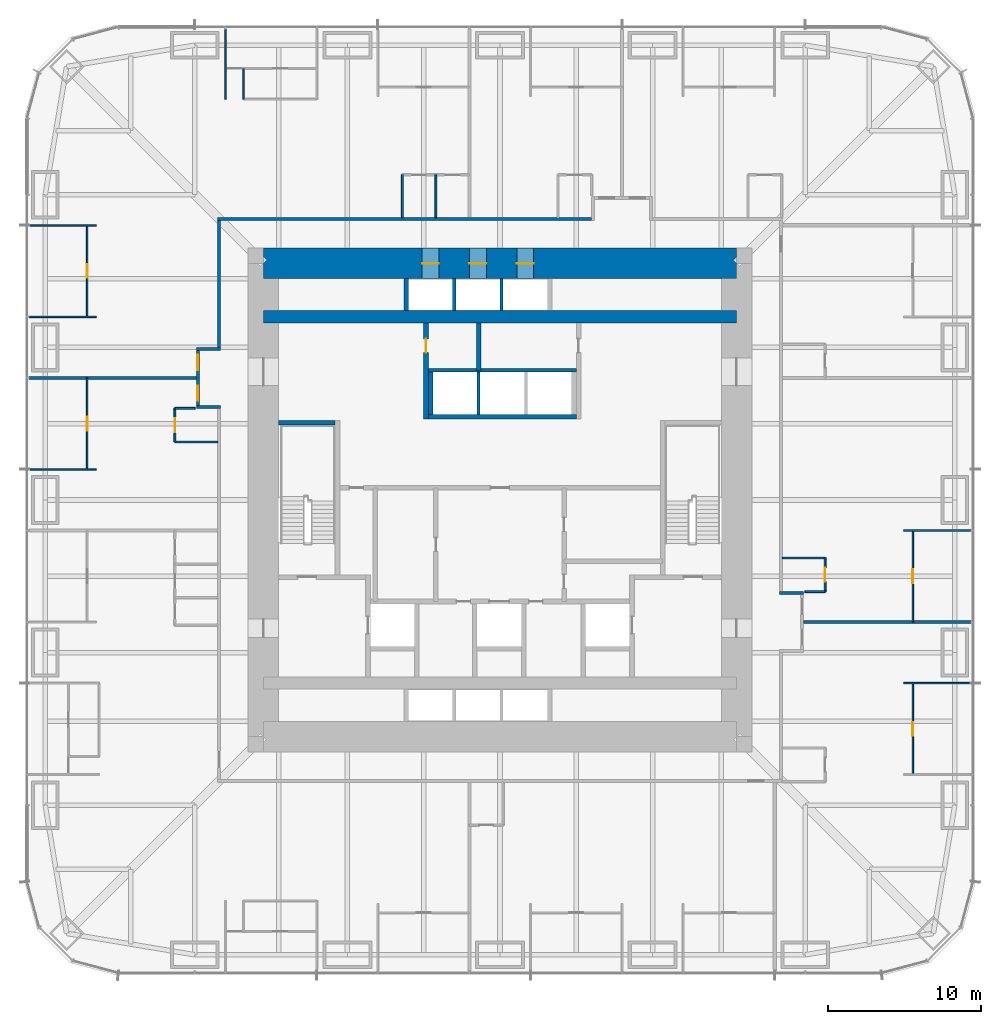
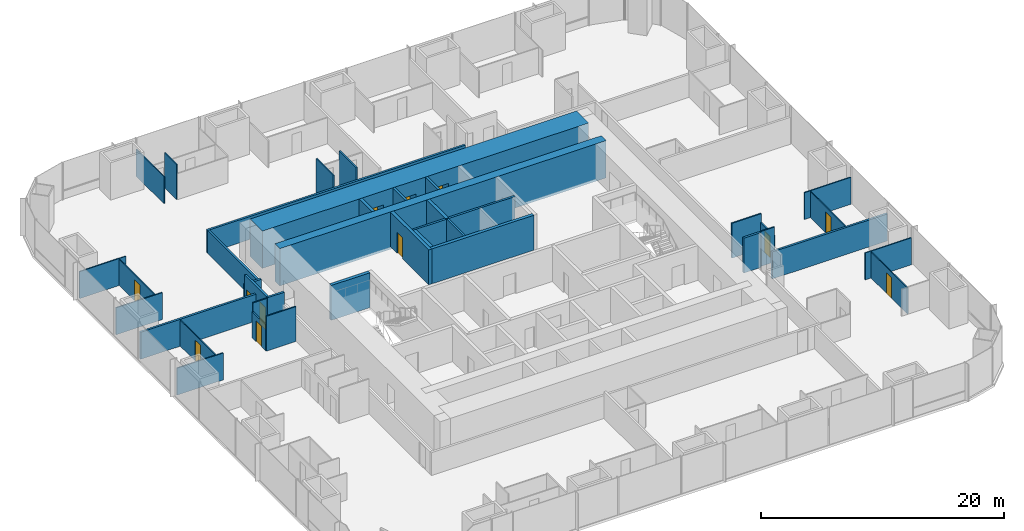
# One storey, part 14 of 17: 39 walls, 12 doors, 12 openings.
"""IFC4 building model written with IfcOpenShell, lengths in metres."""

import ifcopenshell
import ifcopenshell.guid

model = None  # the IFC model being written
_history = None  # IfcOwnerHistory: only IFC2X3 demands one
_inside = {}  # id of a spatial element -> (the spatial element, [elements in it])
_under = {}  # id of a project, library or spatial element -> (it, [spatial elements below it])
_declared = {}  # id of a project -> (the project, [libraries it declares])
_typed = {}  # id of a type object -> (the type object, [elements of that type])
_made_of = {}  # id of a material, layer set ... -> (it, [elements and type objects made of it])


def new_model(schema):
    """Start an empty IFC model of exactly this schema.

    Asked for "IFC4X3", IfcOpenShell would pick the latest addendum, in which some entities
    have other attributes; the version numbers below select the first issue.
    IFC2X3 requires an IfcOwnerHistory on every rooted entity: one is made here for all.
    """
    global model, _history
    if schema == "IFC4X3":
        model = ifcopenshell.file(schema_version=(4, 3, 0, 0))
    else:
        model = ifcopenshell.file(schema=schema)
    _inside.clear()
    _under.clear()
    _declared.clear()
    _typed.clear()
    _made_of.clear()
    _history = None
    if model.schema == "IFC2X3":
        org = make("IfcOrganization", Name="unknown")
        user = make(
            "IfcPersonAndOrganization",
            ThePerson=make("IfcPerson", FamilyName="unknown"),
            TheOrganization=org,
        )
        app = make(
            "IfcApplication",
            ApplicationDeveloper=org,
            Version="unknown",
            ApplicationFullName="unknown",
            ApplicationIdentifier="unknown",
        )
        _history = make(
            "IfcOwnerHistory",
            OwningUser=user,
            OwningApplication=app,
            ChangeAction="ADDED",
            CreationDate=0,
        )
    return model


def make(cls, **values):
    """One entity of the class cls with the attributes given. An attribute that is None is left unset."""
    return model.create_entity(
        cls, **{name: value for name, value in values.items() if value is not None}
    )


def rooted(cls, **values):
    """An entity with a GlobalId (a new one), such as an element, a storey or a relation."""
    return make(cls, GlobalId=ifcopenshell.guid.new(), OwnerHistory=_history, **values)


def si_unit(unit_type, name, prefix=None):
    """IfcSIUnit, for example si_unit("LENGTHUNIT", "METRE", prefix="MILLI")."""
    return make("IfcSIUnit", UnitType=unit_type, Prefix=prefix, Name=name)


def assignment(units):
    """IfcUnitAssignment: the units of a project."""
    return None if units is None else make("IfcUnitAssignment", Units=units)


def point(xyz):
    """IfcCartesianPoint."""
    return None if xyz is None else make("IfcCartesianPoint", Coordinates=xyz)


def direction(xyz):
    """IfcDirection."""
    return None if xyz is None else make("IfcDirection", DirectionRatios=xyz)


def frame(location, z_axis=None, x_axis=None):
    """IfcAxis2Placement3D, a coordinate frame: its origin and axes. An axis left out is left unset."""
    return make(
        "IfcAxis2Placement3D",
        Location=point(location),
        Axis=direction(z_axis),
        RefDirection=direction(x_axis),
    )


def frame_2d(location, x_axis=None):
    """IfcAxis2Placement2D, a coordinate frame in the plane: its origin and x axis."""
    return make(
        "IfcAxis2Placement2D", Location=point(location), RefDirection=direction(x_axis)
    )


def origin():
    """The frame at (0, 0, 0) with its axes left unset."""
    return frame((0.0, 0.0, 0.0))


def place(relative_to, where):
    """IfcLocalPlacement: puts the frame where relative to a parent placement (None: the world)."""
    return make(
        "IfcLocalPlacement", PlacementRelTo=relative_to, RelativePlacement=where
    )


def context(
    kind, dimensions, precision=None, world=None, true_north=None, identifier=None
):
    """IfcGeometricRepresentationContext, for example the 3D "Model" context."""
    return make(
        "IfcGeometricRepresentationContext",
        ContextIdentifier=identifier,
        ContextType=kind,
        CoordinateSpaceDimension=dimensions,
        Precision=precision,
        WorldCoordinateSystem=world,
        TrueNorth=true_north,
    )


def subcontext(parent, identifier, kind, view, scale=None):
    """IfcGeometricRepresentationSubContext, for example "Body" below "Model"."""
    return make(
        "IfcGeometricRepresentationSubContext",
        ContextIdentifier=identifier,
        ContextType=kind,
        ParentContext=parent,
        TargetScale=scale,
        TargetView=view,
    )


def project(units=None, contexts=None):
    """IfcProject with its units and contexts."""
    return rooted(
        "IfcProject",
        Name="project",
        RepresentationContexts=contexts,
        UnitsInContext=assignment(units),
    )


def spatial(cls, under=None, at=None, **own):
    """A site, building, storey or space (cls), placed at a placement, below another one or the project."""
    s = rooted(cls, ObjectPlacement=at, **own)
    if under is not None:
        _under.setdefault(under.id(), (under, []))[1].append(s)
    return s


def profile(cls, at=None, kind="AREA", **sizes):
    """A parametric profile (cls). Its sizes go by their IFC names, for example OverallWidth=200.0."""
    return make(cls, ProfileType=kind, Position=at, **sizes)


def rectangle(**sizes):
    """IfcRectangleProfileDef."""
    return profile("IfcRectangleProfileDef", **sizes)


def extrude(swept, where, along, depth):
    """IfcExtrudedAreaSolid: the profile swept, set in the frame where, extruded along a direction by depth."""
    return make(
        "IfcExtrudedAreaSolid",
        SweptArea=swept,
        Position=where,
        ExtrudedDirection=direction(along),
        Depth=depth,
    )


def shape(context_of_items, identifier, shape_type, items):
    """IfcShapeRepresentation: the items that make up one representation, for example the "Body"."""
    return make(
        "IfcShapeRepresentation",
        ContextOfItems=context_of_items,
        RepresentationIdentifier=identifier,
        RepresentationType=shape_type,
        Items=items,
    )


def material(Name=None, Category=None):
    """IfcMaterial."""
    return make("IfcMaterial", Name=Name, Category=Category)


def layer(
    of_material, thickness, ventilated=None, Name=None, Category=None, Priority=None
):
    """IfcMaterialLayer: one layer of a wall or slab, of a material (None: an air gap)."""
    return make(
        "IfcMaterialLayer",
        Material=of_material,
        LayerThickness=thickness,
        IsVentilated=ventilated,
        Name=Name,
        Category=Category,
        Priority=Priority,
    )


def layer_set(layers, Name=None):
    """IfcMaterialLayerSet."""
    return make("IfcMaterialLayerSet", MaterialLayers=layers, LayerSetName=Name)


def made_of(thing, what):
    """Note that an element or type object is made of a material, layer set ...; save() writes the relation."""
    if what is not None:
        _made_of.setdefault(what.id(), (what, []))[1].append(thing)
    return thing


def type_object(cls, material=None, **own):
    """A type object (cls), such as IfcWallType, which elements share."""
    return made_of(rooted(cls, **own), material)


def element(
    cls,
    number,
    at=None,
    inside=None,
    cuts=None,
    type_object=None,
    material=None,
    context=None,
    identifier="Body",
    shape_type=None,
    held_by="IfcProductDefinitionShape",
    body=None,
    shapes=None,
    **own,
):
    """One element of the class cls, such as IfcWall. Its Tag is "e" and its number.

    at: its placement. inside: the storey or other place that contains it. cuts: it is an
    opening in that element (IfcRelVoidsElement). A single representation is given by context,
    identifier, shape_type and body (its items); several are given by shapes. held_by: the class
    of the entity that holds the representations. save() writes the other relations.
    """
    e = rooted(cls, Tag="e%d" % number, ObjectPlacement=at, **own)
    if body is not None:
        shapes = [shape(context, identifier, shape_type, body)]
    if shapes is not None:
        e.Representation = make(held_by, Representations=shapes)
    if inside is not None:
        _inside.setdefault(inside.id(), (inside, []))[1].append(e)
    if cuts is not None:
        rooted(
            "IfcRelVoidsElement", RelatingBuildingElement=cuts, RelatedOpeningElement=e
        )
    if type_object is not None:
        _typed.setdefault(type_object.id(), (type_object, []))[1].append(e)
    return made_of(e, material)


def fill(opening, filler):
    """IfcRelFillsElement: the door or window that sits in an opening."""
    return rooted(
        "IfcRelFillsElement",
        RelatingOpeningElement=opening,
        RelatedBuildingElement=filler,
    )


def aggregate(whole, parts):
    """IfcRelAggregates: a whole, such as a stair, and the parts it consists of."""
    return rooted("IfcRelAggregates", RelatingObject=whole, RelatedObjects=parts)


def save(model, path):
    """Write the relations noted so far, then the file.

    IfcRelAggregates (storeys below a building ...), IfcRelContainedInSpatialStructure (elements
    in a storey), IfcRelDefinesByType, IfcRelAssociatesMaterial and IfcRelDeclares: one each for
    every whole, place, type object, material and project.
    """
    for whole, parts in _under.values():
        aggregate(whole, parts)
    for where, things in _inside.values():
        rooted(
            "IfcRelContainedInSpatialStructure",
            RelatedElements=things,
            RelatingStructure=where,
        )
    for kind, things in _typed.values():
        rooted("IfcRelDefinesByType", RelatedObjects=things, RelatingType=kind)
    for what, things in _made_of.values():
        rooted("IfcRelAssociatesMaterial", RelatedObjects=things, RelatingMaterial=what)
    for by, libraries in _declared.values():
        rooted("IfcRelDeclares", RelatingContext=by, RelatedDefinitions=libraries)
    model.write(path)


model = new_model("IFC4")

# Units and contexts
model_context = context("Model", 3, precision=1e-05, world=origin(), true_north=direction((0.0, 1.0)))
body_context = subcontext(model_context, "Body", "Model", "MODEL_VIEW")
ifc_project = project(units=[si_unit("LENGTHUNIT", "METRE"), si_unit("AREAUNIT", "SQUARE_METRE"), si_unit("VOLUMEUNIT", "CUBIC_METRE"), si_unit("PLANEANGLEUNIT", "RADIAN"), si_unit("MASSUNIT", "GRAM", prefix="KILO")], contexts=[model_context])

# Site, building, storey
site_placement = place(None, origin())
site = spatial("IfcSite", under=ifc_project, at=site_placement, CompositionType="ELEMENT")
building_placement = place(site_placement, origin())
building = spatial("IfcBuilding", under=site, at=building_placement, Name="Khuree Lantern Residences", CompositionType="ELEMENT")
storey_placement = place(building_placement, frame((0.0, 0.0, 84.75)))
storey = spatial("IfcBuildingStorey", under=building, at=storey_placement, Name="L21", CompositionType="ELEMENT", Elevation=84.75)

# Wall, opening, door
ifc_material_1 = material(Name="Moisture-resistant gypsum board on steel studs", Category="steel")
ifc_layer_1 = layer(ifc_material_1, 0.125)
ifc_layer_set_1 = layer_set([ifc_layer_1], Name="BATHROOM WALL BTW125")
wall_type_1 = type_object("IfcWallType", Name="BATHROOM WALL BTW125", PredefinedType="PARTITIONING", material=ifc_layer_set_1)
wall_1_placement = place(storey_placement, frame((21.300048828125, -6.0, 0.0), z_axis=(0.0, 0.0, 1.0), x_axis=(0.0, 1.0, 0.0)))
wall_1 = element("IfcWall", 1, at=wall_1_placement, inside=storey, type_object=wall_type_1, Name="L21 BATHROOM WALL 01", PredefinedType="PARTITIONING", context=body_context, shape_type="SweptSolid", body=[
    extrude(rectangle(XDim=2.199951171875, YDim=0.125, at=frame_2d((1.10009765625, 0.0))), origin(), (0.0, 0.0, 1.0), 2.610107421875),
])
opening_1_placement = place(wall_1_placement, frame((0.64990234375, 0.0, 0.0)))
opening_1 = element("IfcOpeningElement", 2, at=opening_1_placement, cuts=wall_1, Name="Opening 21-023", PredefinedType="OPENING", context=body_context, shape_type="SweptSolid", body=[
    extrude(rectangle(XDim=0.89990234375, YDim=2.10009765625, at=frame_2d((0.449951171875, 1.050048828125))), frame((0.0, 0.072509765625, 0.0), z_axis=(0.0, -1.0, 0.0), x_axis=(1.0, 0.0, 0.0)), (0.0, 0.0, 1.0), 0.14501953125),
])
ifc_material_2 = material(Name="Timber door leaf in hardwood frame", Category="wood")
door_type_1 = type_object("IfcDoorType", Name="BATHROOM DOOR 900X2100", OperationType="SINGLE_SWING_LEFT", PredefinedType="DOOR", material=ifc_material_2)
door_1_placement = place(opening_1_placement, origin())
door_1 = element("IfcDoor", 3, at=door_1_placement, inside=storey, type_object=door_type_1, Name="Bathroom door 21-023", OperationType="SINGLE_SWING_LEFT", OverallHeight=2.10009765625, OverallWidth=0.89990234375, PredefinedType="DOOR", context=body_context, shape_type="SweptSolid", body=[
    extrude(rectangle(XDim=0.89990234375, YDim=2.10009765625, at=frame_2d((0.449951171875, 1.050048828125))), frame((0.0, 0.02490234375, 0.0), z_axis=(0.0, -1.0, 0.0), x_axis=(1.0, 0.0, 0.0)), (0.0, 0.0, 1.0), 0.050048828125),
])
fill(opening_1, door_1)

# Walls
wall_2_placement = place(storey_placement, frame((19.969970703125, -6.0, 0.0), z_axis=(0.0, 0.0, 1.0), x_axis=(1.0, 0.0, 0.0)))
element("IfcWall", 4, at=wall_2_placement, inside=storey, type_object=wall_type_1, Name="L21 BATHROOM WALL 01", PredefinedType="PARTITIONING", context=body_context, shape_type="SweptSolid", body=[
    extrude(rectangle(XDim=1.330078125, YDim=0.125, at=frame_2d((0.6650390625, 0.0))), origin(), (0.0, 0.0, 1.0), 3.5),
])
for number, where, z_axis, x_axis, name in (
    (5, (18.5, -3.800048828125, 0.0), (0.0, 0.0, 1.0), (1.0, 0.0, 0.0), "L21 BATHROOM WALL 01"),
    (6, (-4.199951171875, 18.5, 0.0), (0.0, 0.0, 1.0), (0.0, 1.0, 0.0), "L21 BATHROOM WALL 05"),
    (7, (-6.39990234375, 18.5, 0.0), (0.0, 0.0, 1.0), (0.0, 1.0, 0.0), "L21 BATHROOM WALL 05"),
):
    element("IfcWall", number, at=place(storey_placement, frame(where, z_axis=z_axis, x_axis=x_axis)), inside=storey, type_object=wall_type_1, Name=name, PredefinedType="PARTITIONING", context=body_context, shape_type="SweptSolid", body=[
        extrude(rectangle(XDim=2.800048828125, YDim=0.125, at=frame_2d((1.39990234375, 0.0))), origin(), (0.0, 0.0, 1.0), 3.5),
    ])

# Wall, opening, door
wall_3_placement = place(storey_placement, frame((-21.300048828125, 6.0, 0.0), z_axis=(0.0, 0.0, 1.0), x_axis=(0.0, -1.0, 0.0)))
wall_3 = element("IfcWall", 8, at=wall_3_placement, inside=storey, type_object=wall_type_1, Name="L21 BATHROOM WALL 06", PredefinedType="PARTITIONING", context=body_context, shape_type="SweptSolid", body=[
    extrude(rectangle(XDim=2.199951171875, YDim=0.125, at=frame_2d((1.10009765625, 0.0))), origin(), (0.0, 0.0, 1.0), 2.610107421875),
])
opening_2_placement = place(wall_3_placement, frame((0.64990234375, 0.0, 0.0)))
opening_2 = element("IfcOpeningElement", 9, at=opening_2_placement, cuts=wall_3, Name="Opening 21-042", PredefinedType="OPENING", context=body_context, shape_type="SweptSolid", body=[
    extrude(rectangle(XDim=0.89990234375, YDim=2.10009765625, at=frame_2d((0.449951171875, 1.050048828125))), frame((0.0, 0.072509765625, 0.0), z_axis=(0.0, -1.0, 0.0), x_axis=(1.0, 0.0, 0.0)), (0.0, 0.0, 1.0), 0.14501953125),
])
door_2_placement = place(opening_2_placement, origin())
door_2 = element("IfcDoor", 10, at=door_2_placement, inside=storey, type_object=door_type_1, Name="Bathroom door 21-042", OperationType="SINGLE_SWING_LEFT", OverallHeight=2.10009765625, OverallWidth=0.89990234375, PredefinedType="DOOR", context=body_context, shape_type="SweptSolid", body=[
    extrude(rectangle(XDim=0.89990234375, YDim=2.10009765625, at=frame_2d((0.449951171875, 1.050048828125))), frame((0.0, 0.02490234375, 0.0), z_axis=(0.0, -1.0, 0.0), x_axis=(1.0, 0.0, 0.0)), (0.0, 0.0, 1.0), 0.050048828125),
])
fill(opening_2, door_2)

# Walls
wall_4_placement = place(storey_placement, frame((-19.969970703125, 6.0, 0.0), z_axis=(0.0, 0.0, 1.0), x_axis=(-1.0, 0.0, 0.0)))
element("IfcWall", 11, at=wall_4_placement, inside=storey, type_object=wall_type_1, Name="L21 BATHROOM WALL 06", PredefinedType="PARTITIONING", context=body_context, shape_type="SweptSolid", body=[
    extrude(rectangle(XDim=1.330078125, YDim=0.125, at=frame_2d((0.6650390625, 0.0))), origin(), (0.0, 0.0, 1.0), 3.5),
])
wall_5_placement = place(storey_placement, frame((-18.5, 3.800048828125, 0.0), z_axis=(0.0, 0.0, 1.0), x_axis=(-1.0, 0.0, 0.0)))
element("IfcWall", 12, at=wall_5_placement, inside=storey, type_object=wall_type_1, Name="L21 BATHROOM WALL 06", PredefinedType="PARTITIONING", context=body_context, shape_type="SweptSolid", body=[
    extrude(rectangle(XDim=2.800048828125, YDim=0.125, at=frame_2d((1.39990234375, 0.0))), origin(), (0.0, 0.0, 1.0), 3.5),
])
ifc_material_3 = material(Name="Dense concrete blockwork", Category="masonry")
ifc_layer_2 = layer(ifc_material_3, 0.300048828125)
ifc_layer_set_2 = layer_set([ifc_layer_2], Name="CORE PARTITION WALL CPW300 EI 120")
wall_type_2 = type_object("IfcWallType", Name="CORE PARTITION WALL CPW300 EI 120", PredefinedType="PARTITIONING", material=ifc_layer_set_2)
wall_6_placement = place(storey_placement, frame((-4.699951171875, 5.449951171875, 0.0), z_axis=(0.0, 0.0, 1.0), x_axis=(1.0, 0.0, 0.0)))
element("IfcWall", 13, at=wall_6_placement, inside=storey, type_object=wall_type_2, Name="L21 CORE WALL PHS", PredefinedType="PARTITIONING", context=body_context, shape_type="SweptSolid", body=[
    extrude(rectangle(XDim=9.699951171875, YDim=0.300048828125, at=frame_2d((4.85009765625, 0.0))), origin(), (0.0, 0.0, 1.0), 3.5),
])
wall_7_placement = place(storey_placement, frame((-4.550048828125, 5.60009765625, 0.0), z_axis=(0.0, 0.0, 1.0), x_axis=(0.0, 1.0, 0.0)))
element("IfcWall", 14, at=wall_7_placement, inside=storey, type_object=wall_type_2, Name="L21 CORE WALL PHW", PredefinedType="PARTITIONING", context=body_context, shape_type="SweptSolid", body=[
    extrude(rectangle(XDim=2.7998046875, YDim=0.300048828125, at=frame_2d((1.39990234375, 0.0))), origin(), (0.0, 0.0, 1.0), 3.5),
])
wall_8_placement = place(storey_placement, frame((-6.14990234375, 12.39990234375, 0.0), z_axis=(0.0, 0.0, 1.0), x_axis=(0.0, 1.0, 0.0)))
element("IfcWall", 15, at=wall_8_placement, inside=storey, type_object=wall_type_2, Name="L21 CORE WALL PLW", PredefinedType="PARTITIONING", context=body_context, shape_type="SweptSolid", body=[
    extrude(rectangle(XDim=2.10009765625, YDim=0.300048828125, at=frame_2d((1.050048828125, 0.0))), origin(), (0.0, 0.0, 1.0), 3.5),
])

# Wall, opening, door
wall_9_placement = place(storey_placement, frame((-4.85009765625, 5.300048828125, 0.0), z_axis=(0.0, 0.0, 1.0), x_axis=(0.0, 1.0, 0.0)))
wall_9 = element("IfcWall", 16, at=wall_9_placement, inside=storey, type_object=wall_type_2, Name="L21 CORE WALL NW", PredefinedType="PARTITIONING", context=body_context, shape_type="SweptSolid", body=[
    extrude(rectangle(XDim=6.300048828125, YDim=0.300048828125, at=frame_2d((3.14990234375, 0.0))), origin(), (0.0, 0.0, 1.0), 3.5),
])
opening_3_placement = place(wall_9_placement, frame((4.35009765625, 0.0, 0.0)))
opening_3 = element("IfcOpeningElement", 17, at=opening_3_placement, cuts=wall_9, Name="Opening 21-020", PredefinedType="OPENING", context=body_context, shape_type="SweptSolid", body=[
    extrude(rectangle(XDim=0.89990234375, YDim=2.10009765625, at=frame_2d((0.449951171875, 1.050048828125))), frame((0.0, 0.16015625, 0.0), z_axis=(0.0, -1.0, 0.0), x_axis=(1.0, 0.0, 0.0)), (0.0, 0.0, 1.0), 0.320068359375),
])
door_type_2 = type_object("IfcDoorType", Name="DOOR 900X2100 RIGHT HAND", OperationType="SINGLE_SWING_RIGHT", PredefinedType="DOOR", material=ifc_material_2)
door_3_placement = place(opening_3_placement, origin())
door_3 = element("IfcDoor", 18, at=door_3_placement, inside=storey, type_object=door_type_2, Name="IT room door 21-020", OperationType="SINGLE_SWING_RIGHT", OverallHeight=2.10009765625, OverallWidth=0.89990234375, PredefinedType="DOOR", context=body_context, shape_type="SweptSolid", body=[
    extrude(rectangle(XDim=0.89990234375, YDim=2.10009765625, at=frame_2d((0.449951171875, 1.050048828125))), frame((0.0, 0.02490234375, 0.0), z_axis=(0.0, -1.0, 0.0), x_axis=(1.0, 0.0, 0.0)), (0.0, 0.0, 1.0), 0.050048828125),
])
fill(opening_3, door_3)

# Walls
wall_10_placement = place(storey_placement, frame((-1.39990234375, 8.5, 0.0), z_axis=(0.0, 0.0, 1.0), x_axis=(0.0, 1.0, 0.0)))
element("IfcWall", 19, at=wall_10_placement, inside=storey, type_object=wall_type_2, Name="L21 CORE WALL NX", PredefinedType="PARTITIONING", context=body_context, shape_type="SweptSolid", body=[
    extrude(rectangle(XDim=3.10009765625, YDim=0.300048828125, at=frame_2d((1.550048828125, 0.0))), origin(), (0.0, 0.0, 1.0), 3.5),
])
ifc_material_4 = material(Name="Gypsum board on steel studs", Category="steel")
ifc_layer_3 = layer(ifc_material_4, 0.199951171875)
ifc_layer_set_3 = layer_set([ifc_layer_3], Name="CORRIDOR WALL CRW200 EI 60")
wall_type_3 = type_object("IfcWallType", Name="CORRIDOR WALL CRW200 EI 60", PredefinedType="PARTITIONING", material=ifc_layer_set_3)
wall_11_placement = place(storey_placement, frame((18.300048828125, -6.10009765625, 0.0), z_axis=(0.0, 0.0, 1.0), x_axis=(1.0, 0.0, 0.0)))
element("IfcWall", 20, at=wall_11_placement, inside=storey, type_object=wall_type_3, Name="L21 CORRIDOR ALCOVE WALL EAST", PredefinedType="PARTITIONING", context=body_context, shape_type="SweptSolid", body=[
    extrude(rectangle(XDim=1.599853515625, YDim=0.199951171875, at=frame_2d((0.7998046875, 0.0))), origin(), (0.0, 0.0, 1.0), 3.5),
])
wall_12_placement = place(storey_placement, frame((-18.5, 18.39990234375, 0.0), z_axis=(0.0, 0.0, 1.0), x_axis=(1.0, 0.0, 0.0)))
element("IfcWall", 21, at=wall_12_placement, inside=storey, type_object=wall_type_3, Name="L21 CORRIDOR WALL NORTH 1", PredefinedType="PARTITIONING", context=body_context, shape_type="SweptSolid", body=[
    extrude(rectangle(XDim=24.5, YDim=0.199951171875, at=frame_2d((12.25, 0.0))), origin(), (0.0, 0.0, 1.0), 2.300048828125),
])
wall_13_placement = place(storey_placement, frame((-18.39990234375, 18.300048828125, 0.0), z_axis=(0.0, 0.0, 1.0), x_axis=(0.0, -1.0, 0.0)))
element("IfcWall", 22, at=wall_13_placement, inside=storey, type_object=wall_type_3, Name="L21 CORRIDOR WALL WEST 1", PredefinedType="PARTITIONING", context=body_context, shape_type="SweptSolid", body=[
    extrude(rectangle(XDim=8.300048828125, YDim=0.199951171875, at=frame_2d((4.14990234375, 0.0))), origin(), (0.0, 0.0, 1.0), 2.300048828125),
])
wall_14_placement = place(storey_placement, frame((-18.300048828125, 9.89990234375, 0.0), z_axis=(0.0, 0.0, 1.0), x_axis=(-1.0, 0.0, 0.0)))
element("IfcWall", 23, at=wall_14_placement, inside=storey, type_object=wall_type_3, Name="L21 CORRIDOR ALCOVE WALL WEST", PredefinedType="PARTITIONING", context=body_context, shape_type="SweptSolid", body=[
    extrude(rectangle(XDim=1.599853515625, YDim=0.199951171875, at=frame_2d((0.7998046875, 0.0))), origin(), (0.0, 0.0, 1.0), 2.491943359375),
])
wall_15_placement = place(storey_placement, frame((-18.300048828125, 6.10009765625, 0.0), z_axis=(0.0, 0.0, 1.0), x_axis=(-1.0, 0.0, 0.0)))
element("IfcWall", 24, at=wall_15_placement, inside=storey, type_object=wall_type_3, Name="L21 CORRIDOR ALCOVE WALL WEST", PredefinedType="PARTITIONING", context=body_context, shape_type="SweptSolid", body=[
    extrude(rectangle(XDim=1.599853515625, YDim=0.199951171875, at=frame_2d((0.7998046875, 0.0))), origin(), (0.0, 0.0, 1.0), 3.5),
])

# Wall, openings, doors
wall_16_placement = place(storey_placement, frame((-19.800048828125, 9.800048828125, 0.0), z_axis=(0.0, 0.0, 1.0), x_axis=(0.0, -1.0, 0.0)))
wall_16 = element("IfcWall", 25, at=wall_16_placement, inside=storey, type_object=wall_type_3, Name="L21 CORRIDOR ALCOVE WALL WEST", PredefinedType="PARTITIONING", context=body_context, shape_type="SweptSolid", body=[
    extrude(rectangle(XDim=3.60009765625, YDim=0.199951171875, at=frame_2d((1.800048828125, 0.0))), origin(), (0.0, 0.0, 1.0), 3.5),
])
opening_4_placement = place(wall_16_placement, frame((0.300048828125, 0.0, 0.0)))
opening_4 = element("IfcOpeningElement", 26, at=opening_4_placement, cuts=wall_16, Name="Opening 21-040", PredefinedType="OPENING", context=body_context, shape_type="SweptSolid", body=[
    extrude(rectangle(XDim=1.0, YDim=2.199951171875, at=frame_2d((0.5, 1.10009765625))), frame((0.0, 0.10986328125, 0.0), z_axis=(0.0, -1.0, 0.0), x_axis=(1.0, 0.0, 0.0)), (0.0, 0.0, 1.0), 0.219970703125),
])
opening_5_placement = place(wall_16_placement, frame((2.300048828125, 0.0, 0.0)))
opening_5 = element("IfcOpeningElement", 27, at=opening_5_placement, cuts=wall_16, Name="Opening 21-043", PredefinedType="OPENING", context=body_context, shape_type="SweptSolid", body=[
    extrude(rectangle(XDim=1.0, YDim=2.199951171875, at=frame_2d((0.5, 1.10009765625))), frame((0.0, 0.10986328125, 0.0), z_axis=(0.0, -1.0, 0.0), x_axis=(1.0, 0.0, 0.0)), (0.0, 0.0, 1.0), 0.219970703125),
])
door_type_3 = type_object("IfcDoorType", Name="APARTMENT ENTRANCE DOOR 1000X2200 EI 30S", OperationType="SINGLE_SWING_LEFT", PredefinedType="DOOR", material=ifc_material_2)
door_4_placement = place(opening_4_placement, origin())
door_4 = element("IfcDoor", 28, at=door_4_placement, inside=storey, type_object=door_type_3, Name="Apartment 05 entrance door 21-040", OperationType="SINGLE_SWING_LEFT", OverallHeight=2.199951171875, OverallWidth=1.0, PredefinedType="DOOR", context=body_context, shape_type="SweptSolid", body=[
    extrude(rectangle(XDim=1.0, YDim=2.199951171875, at=frame_2d((0.5, 1.10009765625))), frame((0.0, 0.02490234375, 0.0), z_axis=(0.0, -1.0, 0.0), x_axis=(1.0, 0.0, 0.0)), (0.0, 0.0, 1.0), 0.050048828125),
])
fill(opening_4, door_4)
door_type_4 = type_object("IfcDoorType", Name="APARTMENT ENTRANCE DOOR 1000X2200 EI 30S RIGHT HAND", OperationType="SINGLE_SWING_RIGHT", PredefinedType="DOOR", material=ifc_material_2)
door_5_placement = place(opening_5_placement, origin())
door_5 = element("IfcDoor", 29, at=door_5_placement, inside=storey, type_object=door_type_4, Name="Apartment 06 entrance door 21-043", OperationType="SINGLE_SWING_RIGHT", OverallHeight=2.199951171875, OverallWidth=1.0, PredefinedType="DOOR", context=body_context, shape_type="SweptSolid", body=[
    extrude(rectangle(XDim=1.0, YDim=2.199951171875, at=frame_2d((0.5, 1.10009765625))), frame((0.0, 0.02490234375, 0.0), z_axis=(0.0, -1.0, 0.0), x_axis=(1.0, 0.0, 0.0)), (0.0, 0.0, 1.0), 0.050048828125),
])
fill(opening_5, door_5)

ifc_material_5 = material(Name="Concrete C70/85", Category="concrete")
ifc_layer_4 = layer(ifc_material_5, 2.0)
ifc_layer_set_4 = layer_set([ifc_layer_4], Name="CW2000-C70 CORE WALL C70 2000")
wall_type_4 = type_object("IfcWallType", Name="CW2000-C70 CORE WALL C70 2000", PredefinedType="SHEAR", material=ifc_layer_set_4)
wall_17_placement = place(storey_placement, frame((-15.5, 15.5, -0.25), z_axis=(0.0, 0.0, 1.0), x_axis=(1.0, 0.0, 0.0)))
wall_17 = element("IfcWall", 30, at=wall_17_placement, inside=storey, type_object=wall_type_4, Name="Core wall N", PredefinedType="SHEAR", context=body_context, shape_type="SweptSolid", body=[
    extrude(rectangle(XDim=31.0, YDim=2.0, at=frame_2d((15.5, 0.0))), origin(), (0.0, 0.0, 1.0), 3.75),
])
opening_6_placement = place(wall_17_placement, frame((10.39990234375, 0.0, 0.25)))
opening_6 = element("IfcOpeningElement", 31, at=opening_6_placement, cuts=wall_17, Name="Opening 21-009", PredefinedType="OPENING", context=body_context, shape_type="SweptSolid", body=[
    extrude(rectangle(XDim=1.10009765625, YDim=2.10009765625, at=frame_2d((0.550048828125, 1.050048828125))), frame((0.0, 1.010009765625, 0.0), z_axis=(0.0, -1.0, 0.0), x_axis=(1.0, 0.0, 0.0)), (0.0, 0.0, 1.0), 2.02001953125),
])
opening_7_placement = place(wall_17_placement, frame((13.5, 0.0, 0.25)))
opening_7 = element("IfcOpeningElement", 32, at=opening_7_placement, cuts=wall_17, Name="Opening 21-010", PredefinedType="OPENING", context=body_context, shape_type="SweptSolid", body=[
    extrude(rectangle(XDim=1.10009765625, YDim=2.10009765625, at=frame_2d((0.550048828125, 1.050048828125))), frame((0.0, 1.010009765625, 0.0), z_axis=(0.0, -1.0, 0.0), x_axis=(1.0, 0.0, 0.0)), (0.0, 0.0, 1.0), 2.02001953125),
])
opening_8_placement = place(wall_17_placement, frame((16.60009765625, 0.0, 0.25)))
opening_8 = element("IfcOpeningElement", 33, at=opening_8_placement, cuts=wall_17, Name="Opening 21-011", PredefinedType="OPENING", context=body_context, shape_type="SweptSolid", body=[
    extrude(rectangle(XDim=1.10009765625, YDim=2.10009765625, at=frame_2d((0.550048828125, 1.050048828125))), frame((0.0, 1.010009765625, 0.0), z_axis=(0.0, -1.0, 0.0), x_axis=(1.0, 0.0, 0.0)), (0.0, 0.0, 1.0), 2.02001953125),
])
ifc_material_6 = material(Name="Stainless steel lift landing door", Category="steel")
door_type_5 = type_object("IfcDoorType", Name="LIFT LANDING DOOR 1100X2100 E 60", OperationType="DOUBLE_DOOR_SLIDING", PredefinedType="DOOR", material=ifc_material_6)
door_6_placement = place(opening_6_placement, origin())
door_6 = element("IfcDoor", 34, at=door_6_placement, inside=storey, type_object=door_type_5, Name="Landing door PL1 21-009", OperationType="DOUBLE_DOOR_SLIDING", OverallHeight=2.10009765625, OverallWidth=1.10009765625, PredefinedType="DOOR", context=body_context, shape_type="SweptSolid", body=[
    extrude(rectangle(XDim=1.10009765625, YDim=2.10009765625, at=frame_2d((0.550048828125, 1.050048828125))), frame((0.0, 0.02490234375, 0.0), z_axis=(0.0, -1.0, 0.0), x_axis=(1.0, 0.0, 0.0)), (0.0, 0.0, 1.0), 0.050048828125),
])
fill(opening_6, door_6)
door_7_placement = place(opening_7_placement, origin())
door_7 = element("IfcDoor", 35, at=door_7_placement, inside=storey, type_object=door_type_5, Name="Landing door PL2 21-010", OperationType="DOUBLE_DOOR_SLIDING", OverallHeight=2.10009765625, OverallWidth=1.10009765625, PredefinedType="DOOR", context=body_context, shape_type="SweptSolid", body=[
    extrude(rectangle(XDim=1.10009765625, YDim=2.10009765625, at=frame_2d((0.550048828125, 1.050048828125))), frame((0.0, 0.02490234375, 0.0), z_axis=(0.0, -1.0, 0.0), x_axis=(1.0, 0.0, 0.0)), (0.0, 0.0, 1.0), 0.050048828125),
])
fill(opening_7, door_7)
door_8_placement = place(opening_8_placement, origin())
door_8 = element("IfcDoor", 36, at=door_8_placement, inside=storey, type_object=door_type_5, Name="Landing door PL3 21-011", OperationType="DOUBLE_DOOR_SLIDING", OverallHeight=2.10009765625, OverallWidth=1.10009765625, PredefinedType="DOOR", context=body_context, shape_type="SweptSolid", body=[
    extrude(rectangle(XDim=1.10009765625, YDim=2.10009765625, at=frame_2d((0.550048828125, 1.050048828125))), frame((0.0, 0.02490234375, 0.0), z_axis=(0.0, -1.0, 0.0), x_axis=(1.0, 0.0, 0.0)), (0.0, 0.0, 1.0), 0.050048828125),
])
fill(opening_8, door_8)

# Walls
ifc_layer_5 = layer(ifc_material_4, 0.199951171875)
ifc_layer_set_5 = layer_set([ifc_layer_5], Name="DEMISING WALL DMW200 EI 90")
wall_type_5 = type_object("IfcWallType", Name="DEMISING WALL DMW200 EI 90", PredefinedType="PARTITIONING", material=ifc_layer_set_5)
for number, where, z_axis, x_axis, name in (
    (37, (19.89990234375, -8.0, 0.0), (0.0, 0.0, 1.0), (1.0, 0.0, 0.0), "L21 DEMISING WALL 01"),
    (38, (-19.89990234375, 8.0, 0.0), (0.0, 0.0, 1.0), (-1.0, 0.0, 0.0), "L21 DEMISING WALL 06"),
):
    element("IfcWall", number, at=place(storey_placement, frame(where, z_axis=z_axis, x_axis=x_axis)), inside=storey, type_object=wall_type_5, Name=name, PredefinedType="PARTITIONING", context=body_context, shape_type="SweptSolid", body=[
        extrude(rectangle(XDim=10.9501953125, YDim=0.199951171875, at=frame_2d((5.47509765625, 0.0))), origin(), (0.0, 0.0, 1.0), 2.7099609375),
    ])
ifc_layer_6 = layer(ifc_material_4, 0.10009765625)
ifc_layer_set_6 = layer_set([ifc_layer_6], Name="PARTITION PT100")
wall_type_6 = type_object("IfcWallType", Name="PARTITION PT100", PredefinedType="PARTITIONING", material=ifc_layer_set_6)
wall_18_placement = place(storey_placement, frame((26.449951171875, -2.0, 0.0), z_axis=(0.0, 0.0, 1.0), x_axis=(1.0, 0.0, 0.0)))
element("IfcWall", 39, at=wall_18_placement, inside=storey, type_object=wall_type_6, Name="L21 PARTITION 01", PredefinedType="PARTITIONING", context=body_context, shape_type="SweptSolid", body=[
    extrude(rectangle(XDim=4.400146484375, YDim=0.10009765625, at=frame_2d((2.2001953125, 0.0))), origin(), (0.0, 0.0, 1.0), 2.7099609375),
])
wall_19_placement = place(storey_placement, frame((-18.0, 26.2666015625, 0.0), z_axis=(0.0, 0.0, 1.0), x_axis=(0.0, 1.0, 0.0)))
element("IfcWall", 40, at=wall_19_placement, inside=storey, type_object=wall_type_6, Name="L21 PARTITION 05", PredefinedType="PARTITIONING", context=body_context, shape_type="SweptSolid", body=[
    extrude(rectangle(XDim=4.58349609375, YDim=0.10009765625, at=frame_2d((2.291748046875, 0.0))), origin(), (0.0, 0.0, 1.0), 2.7099609375),
])
for number, where, z_axis, x_axis, name in (
    (41, (-26.449951171875, 18.0, 0.0), (0.0, 0.0, 1.0), (-1.0, 0.0, 0.0), "L21 PARTITION 05"),
    (42, (-26.449951171875, 12.0, 0.0), (0.0, 0.0, 1.0), (-1.0, 0.0, 0.0), "L21 PARTITION 05"),
    (43, (-26.449951171875, 2.0, 0.0), (0.0, 0.0, 1.0), (-1.0, 0.0, 0.0), "L21 PARTITION 06"),
    (44, (26.449951171875, -12.0, 0.0), (0.0, 0.0, 1.0), (1.0, 0.0, 0.0), "L21 PARTITION 09"),
):
    element("IfcWall", number, at=place(storey_placement, frame(where, z_axis=z_axis, x_axis=x_axis)), inside=storey, type_object=wall_type_6, Name=name, PredefinedType="PARTITIONING", context=body_context, shape_type="SweptSolid", body=[
        extrude(rectangle(XDim=4.400146484375, YDim=0.10009765625, at=frame_2d((2.2001953125, 0.0))), origin(), (0.0, 0.0, 1.0), 2.7099609375),
    ])

# Wall, opening, door
wall_20_placement = place(storey_placement, frame((27.050048828125, -8.0, 0.0), z_axis=(0.0, 0.0, 1.0), x_axis=(0.0, 1.0, 0.0)))
wall_20 = element("IfcWall", 45, at=wall_20_placement, inside=storey, type_object=wall_type_6, Name="L21 PARTITION 01", PredefinedType="PARTITIONING", context=body_context, shape_type="SweptSolid", body=[
    extrude(rectangle(XDim=6.0, YDim=0.10009765625, at=frame_2d((3.0, 0.0))), origin(), (0.0, 0.0, 1.0), 2.610107421875),
])
opening_9_placement = place(wall_20_placement, frame((2.550048828125, 0.0, 0.0)))
opening_9 = element("IfcOpeningElement", 46, at=opening_9_placement, cuts=wall_20, Name="Opening 21-022", PredefinedType="OPENING", context=body_context, shape_type="SweptSolid", body=[
    extrude(rectangle(XDim=0.89990234375, YDim=2.10009765625, at=frame_2d((0.449951171875, 1.050048828125))), frame((0.0, 0.06005859375, 0.0), z_axis=(0.0, -1.0, 0.0), x_axis=(1.0, 0.0, 0.0)), (0.0, 0.0, 1.0), 0.1201171875),
])
door_type_6 = type_object("IfcDoorType", Name="BEDROOM DOOR 900X2100", OperationType="SINGLE_SWING_LEFT", PredefinedType="DOOR", material=ifc_material_2)
door_9_placement = place(opening_9_placement, origin())
door_9 = element("IfcDoor", 47, at=door_9_placement, inside=storey, type_object=door_type_6, Name="Bedroom door 21-022", OperationType="SINGLE_SWING_LEFT", OverallHeight=2.10009765625, OverallWidth=0.89990234375, PredefinedType="DOOR", context=body_context, shape_type="SweptSolid", body=[
    extrude(rectangle(XDim=0.89990234375, YDim=2.10009765625, at=frame_2d((0.449951171875, 1.050048828125))), frame((0.0, 0.02490234375, 0.0), z_axis=(0.0, -1.0, 0.0), x_axis=(1.0, 0.0, 0.0)), (0.0, 0.0, 1.0), 0.050048828125),
])
fill(opening_9, door_9)

# Wall
wall_21_placement = place(storey_placement, frame((-16.800048828125, 26.2666015625, 0.0), z_axis=(0.0, 0.0, 1.0), x_axis=(0.0, 1.0, 0.0)))
element("IfcWall", 48, at=wall_21_placement, inside=storey, type_object=wall_type_6, Name="L21 PARTITION 05", PredefinedType="PARTITIONING", context=body_context, shape_type="SweptSolid", body=[
    extrude(rectangle(XDim=2.0, YDim=0.10009765625, at=frame_2d((1.0, 0.0))), origin(), (0.0, 0.0, 1.0), 3.5),
])

# Wall, opening, door
wall_22_placement = place(storey_placement, frame((-27.050048828125, 18.0, 0.0), z_axis=(0.0, 0.0, 1.0), x_axis=(0.0, -1.0, 0.0)))
wall_22 = element("IfcWall", 49, at=wall_22_placement, inside=storey, type_object=wall_type_6, Name="L21 PARTITION 05", PredefinedType="PARTITIONING", context=body_context, shape_type="SweptSolid", body=[
    extrude(rectangle(XDim=6.0, YDim=0.10009765625, at=frame_2d((3.0, 0.0))), origin(), (0.0, 0.0, 1.0), 2.610107421875),
])
opening_10_placement = place(wall_22_placement, frame((2.550048828125, 0.0, 0.0)))
opening_10 = element("IfcOpeningElement", 50, at=opening_10_placement, cuts=wall_22, Name="Opening 21-037", PredefinedType="OPENING", context=body_context, shape_type="SweptSolid", body=[
    extrude(rectangle(XDim=0.89990234375, YDim=2.10009765625, at=frame_2d((0.449951171875, 1.050048828125))), frame((0.0, 0.06005859375, 0.0), z_axis=(0.0, -1.0, 0.0), x_axis=(1.0, 0.0, 0.0)), (0.0, 0.0, 1.0), 0.1201171875),
])
door_10_placement = place(opening_10_placement, origin())
door_10 = element("IfcDoor", 51, at=door_10_placement, inside=storey, type_object=door_type_6, Name="Bedroom door 21-037", OperationType="SINGLE_SWING_LEFT", OverallHeight=2.10009765625, OverallWidth=0.89990234375, PredefinedType="DOOR", context=body_context, shape_type="SweptSolid", body=[
    extrude(rectangle(XDim=0.89990234375, YDim=2.10009765625, at=frame_2d((0.449951171875, 1.050048828125))), frame((0.0, 0.02490234375, 0.0), z_axis=(0.0, -1.0, 0.0), x_axis=(1.0, 0.0, 0.0)), (0.0, 0.0, 1.0), 0.050048828125),
])
fill(opening_10, door_10)

wall_23_placement = place(storey_placement, frame((-27.050048828125, 8.0, 0.0), z_axis=(0.0, 0.0, 1.0), x_axis=(0.0, -1.0, 0.0)))
wall_23 = element("IfcWall", 52, at=wall_23_placement, inside=storey, type_object=wall_type_6, Name="L21 PARTITION 06", PredefinedType="PARTITIONING", context=body_context, shape_type="SweptSolid", body=[
    extrude(rectangle(XDim=6.0, YDim=0.10009765625, at=frame_2d((3.0, 0.0))), origin(), (0.0, 0.0, 1.0), 2.610107421875),
])
opening_11_placement = place(wall_23_placement, frame((2.550048828125, 0.0, 0.0)))
opening_11 = element("IfcOpeningElement", 53, at=opening_11_placement, cuts=wall_23, Name="Opening 21-041", PredefinedType="OPENING", context=body_context, shape_type="SweptSolid", body=[
    extrude(rectangle(XDim=0.89990234375, YDim=2.10009765625, at=frame_2d((0.449951171875, 1.050048828125))), frame((0.0, 0.06005859375, 0.0), z_axis=(0.0, -1.0, 0.0), x_axis=(1.0, 0.0, 0.0)), (0.0, 0.0, 1.0), 0.1201171875),
])
door_11_placement = place(opening_11_placement, origin())
door_11 = element("IfcDoor", 54, at=door_11_placement, inside=storey, type_object=door_type_6, Name="Bedroom door 21-041", OperationType="SINGLE_SWING_LEFT", OverallHeight=2.10009765625, OverallWidth=0.89990234375, PredefinedType="DOOR", context=body_context, shape_type="SweptSolid", body=[
    extrude(rectangle(XDim=0.89990234375, YDim=2.10009765625, at=frame_2d((0.449951171875, 1.050048828125))), frame((0.0, 0.02490234375, 0.0), z_axis=(0.0, -1.0, 0.0), x_axis=(1.0, 0.0, 0.0)), (0.0, 0.0, 1.0), 0.050048828125),
])
fill(opening_11, door_11)

wall_24_placement = place(storey_placement, frame((27.050048828125, -18.0, 0.0), z_axis=(0.0, 0.0, 1.0), x_axis=(0.0, 1.0, 0.0)))
wall_24 = element("IfcWall", 55, at=wall_24_placement, inside=storey, type_object=wall_type_6, Name="L21 PARTITION 09", PredefinedType="PARTITIONING", context=body_context, shape_type="SweptSolid", body=[
    extrude(rectangle(XDim=6.0, YDim=0.10009765625, at=frame_2d((3.0, 0.0))), origin(), (0.0, 0.0, 1.0), 2.610107421875),
])
opening_12_placement = place(wall_24_placement, frame((2.550048828125, 0.0, 0.0)))
opening_12 = element("IfcOpeningElement", 56, at=opening_12_placement, cuts=wall_24, Name="Opening 21-058", PredefinedType="OPENING", context=body_context, shape_type="SweptSolid", body=[
    extrude(rectangle(XDim=0.89990234375, YDim=2.10009765625, at=frame_2d((0.449951171875, 1.050048828125))), frame((0.0, 0.06005859375, 0.0), z_axis=(0.0, -1.0, 0.0), x_axis=(1.0, 0.0, 0.0)), (0.0, 0.0, 1.0), 0.1201171875),
])
door_12_placement = place(opening_12_placement, origin())
door_12 = element("IfcDoor", 57, at=door_12_placement, inside=storey, type_object=door_type_6, Name="Bedroom door 21-058", OperationType="SINGLE_SWING_LEFT", OverallHeight=2.10009765625, OverallWidth=0.89990234375, PredefinedType="DOOR", context=body_context, shape_type="SweptSolid", body=[
    extrude(rectangle(XDim=0.89990234375, YDim=2.10009765625, at=frame_2d((0.449951171875, 1.050048828125))), frame((0.0, 0.02490234375, 0.0), z_axis=(0.0, -1.0, 0.0), x_axis=(1.0, 0.0, 0.0)), (0.0, 0.0, 1.0), 0.050048828125),
])
fill(opening_12, door_12)

# Walls
ifc_layer_7 = layer(ifc_material_3, 0.199951171875)
ifc_layer_set_7 = layer_set([ifc_layer_7], Name="SHAFT WALL SHW200 EI 120")
wall_type_7 = type_object("IfcWallType", Name="SHAFT WALL SHW200 EI 120", PredefinedType="PARTITIONING", material=ifc_layer_set_7)
wall_25_placement = place(storey_placement, frame((-4.699951171875, 8.5, 0.0), z_axis=(0.0, 0.0, 1.0), x_axis=(1.0, 0.0, 0.0)))
element("IfcWall", 58, at=wall_25_placement, inside=storey, type_object=wall_type_7, Name="L21 CORE WALL PHN", PredefinedType="PARTITIONING", context=body_context, shape_type="SweptSolid", body=[
    extrude(rectangle(XDim=9.699951171875, YDim=0.199951171875, at=frame_2d((4.85009765625, 0.0))), origin(), (0.0, 0.0, 1.0), 3.5),
])
wall_26_placement = place(storey_placement, frame((-1.39990234375, 5.60009765625, 0.0), z_axis=(0.0, 0.0, 1.0), x_axis=(0.0, 1.0, 0.0)))
element("IfcWall", 59, at=wall_26_placement, inside=storey, type_object=wall_type_7, Name="L21 CORE WALL PHD1", PredefinedType="PARTITIONING", context=body_context, shape_type="SweptSolid", body=[
    extrude(rectangle(XDim=2.7998046875, YDim=0.199951171875, at=frame_2d((1.39990234375, 0.0))), origin(), (0.0, 0.0, 1.0), 3.5),
])
for number, where, z_axis, x_axis, name in (
    (60, (-3.0, 12.39990234375, 0.0), (0.0, 0.0, 1.0), (0.0, 1.0, 0.0), "L21 CORE WALL PLD1"),
    (61, (0.10009765625, 12.39990234375, 0.0), (0.0, 0.0, 1.0), (0.0, 1.0, 0.0), "L21 CORE WALL PLD2"),
):
    element("IfcWall", number, at=place(storey_placement, frame(where, z_axis=z_axis, x_axis=x_axis)), inside=storey, type_object=wall_type_7, Name=name, PredefinedType="PARTITIONING", context=body_context, shape_type="SweptSolid", body=[
        extrude(rectangle(XDim=2.10009765625, YDim=0.199951171875, at=frame_2d((1.050048828125, 0.0))), origin(), (0.0, 0.0, 1.0), 3.5),
    ])
ifc_layer_8 = layer(ifc_material_5, 0.800048828125)
ifc_layer_set_8 = layer_set([ifc_layer_8], Name="SP800-C70 CORE SPINE WALL C70 800")
wall_type_8 = type_object("IfcWallType", Name="SP800-C70 CORE SPINE WALL C70 800", PredefinedType="SHEAR", material=ifc_layer_set_8)
wall_27_placement = place(storey_placement, frame((-15.5, 12.0, -0.25), z_axis=(0.0, 0.0, 1.0), x_axis=(1.0, 0.0, 0.0)))
element("IfcWall", 62, at=wall_27_placement, inside=storey, type_object=wall_type_8, Name="Core wall SPN", PredefinedType="SHEAR", context=body_context, shape_type="SweptSolid", body=[
    extrude(rectangle(XDim=31.0, YDim=0.800048828125, at=frame_2d((15.5, 0.0))), origin(), (0.0, 0.0, 1.0), 3.75),
])
ifc_material_7 = material(Name="Concrete C50/60", Category="concrete")
ifc_layer_9 = layer(ifc_material_7, 0.300048828125)
ifc_layer_set_9 = layer_set([ifc_layer_9], Name="STAIR WALL SRW300 C50/60 REI 240")
wall_type_9 = type_object("IfcWallType", Name="STAIR WALL SRW300 C50/60 REI 240", PredefinedType="SOLIDWALL", material=ifc_layer_set_9)
wall_28_placement = place(storey_placement, frame((-14.5, 5.050048828125, 0.0), z_axis=(0.0, 0.0, 1.0), x_axis=(1.0, 0.0, 0.0)))
element("IfcWall", 63, at=wall_28_placement, inside=storey, type_object=wall_type_9, Name="L21 STAIR WALL ST1N", PredefinedType="SOLIDWALL", context=body_context, shape_type="SweptSolid", body=[
    extrude(rectangle(XDim=3.699951171875, YDim=0.300048828125, at=frame_2d((1.85009765625, 0.0))), origin(), (0.0, 0.0, 1.0), 3.5),
])

save(model, "model.ifc")
